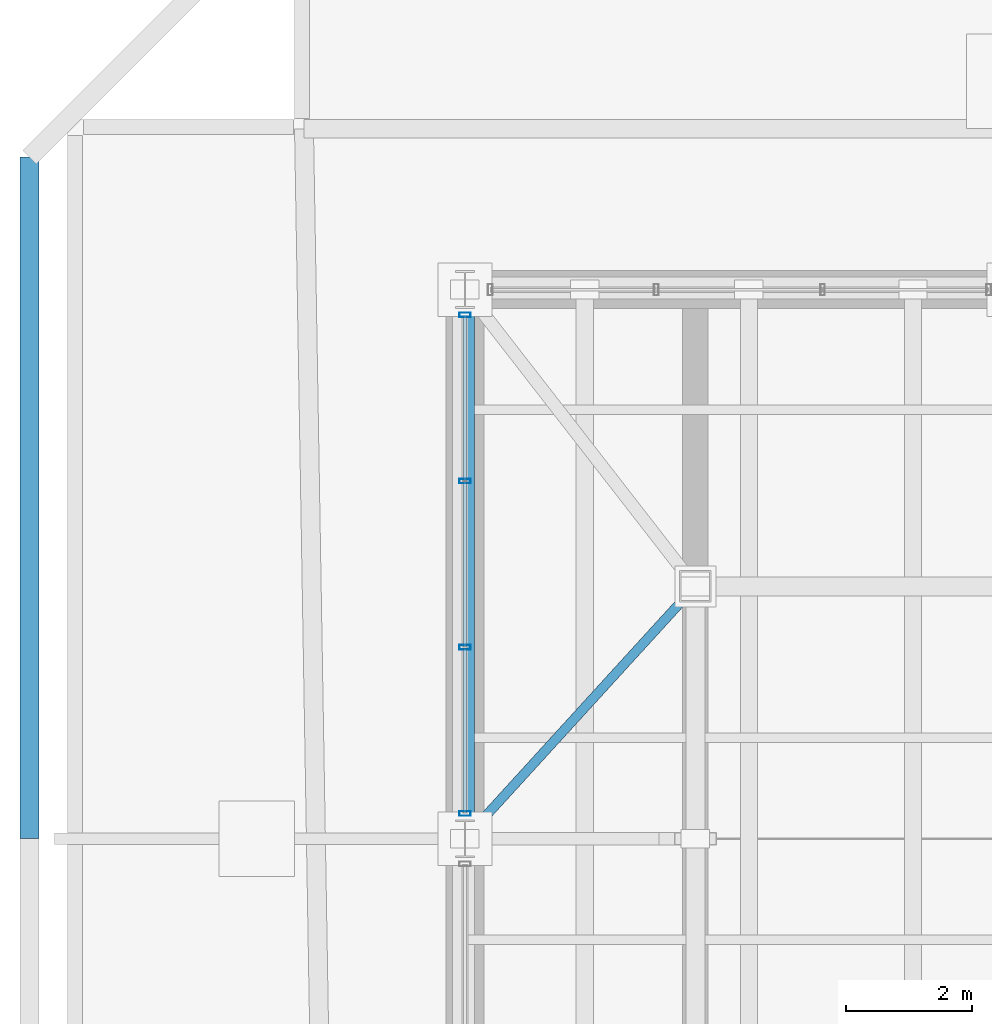
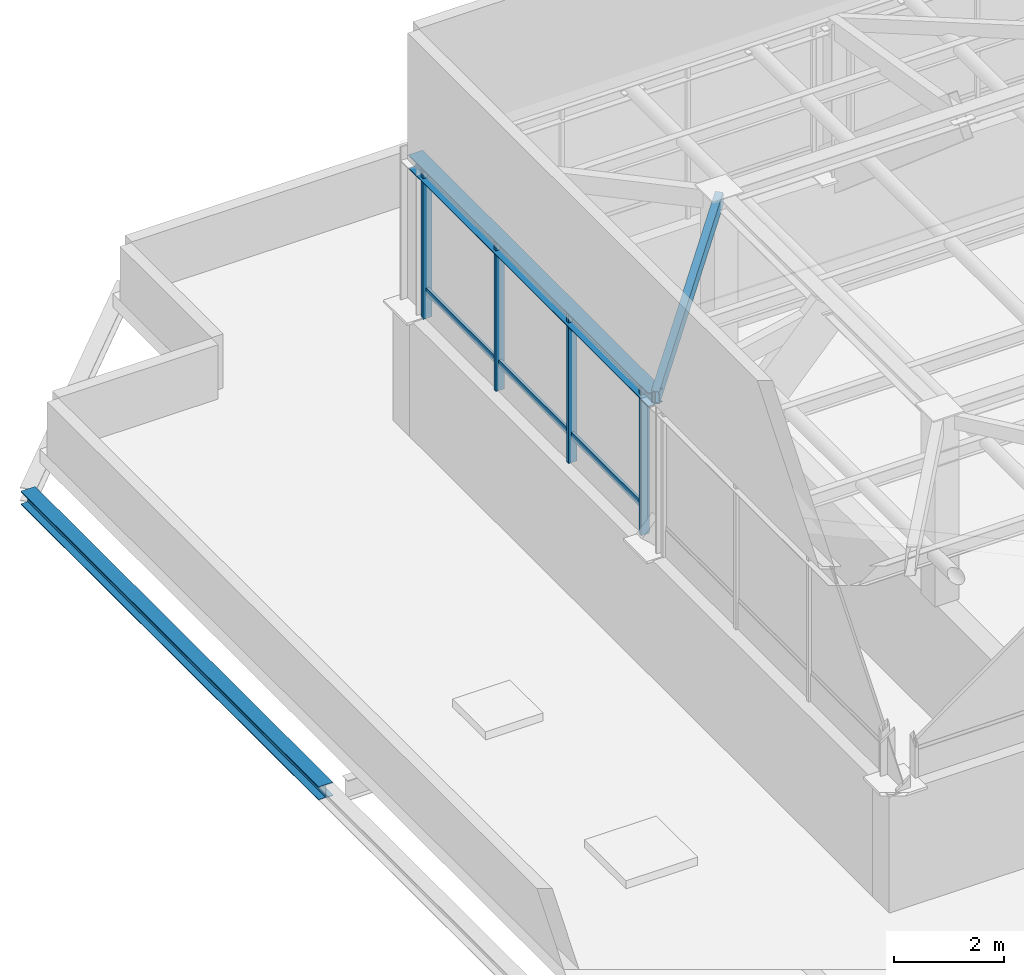
# One storey, part 14 of 22: 8 members, 2 beams, 1 element without a shape of its own.
"""IFC4 building model written with IfcOpenShell, lengths in metres."""

from ifc_helpers import new_model, si_unit, direction, frame, origin, origin_2d, place, context, subcontext, project, spatial, hollow_rectangle, i_section, extrude, material, layer, layer_set, material_profile, profile_set, type_object, element, aggregate, save


model = new_model("IFC4")

# Units and contexts
model_context = context("Model", 3, precision=1e-05, world=origin(), true_north=direction((0.0, 1.0)))
body_context = subcontext(model_context, "Body", "Model", "MODEL_VIEW")
ifc_project = project(units=[si_unit("LENGTHUNIT", "METRE"), si_unit("AREAUNIT", "SQUARE_METRE"), si_unit("VOLUMEUNIT", "CUBIC_METRE"), si_unit("PLANEANGLEUNIT", "RADIAN"), si_unit("MASSUNIT", "GRAM", prefix="KILO")], contexts=[model_context])

# Site, building, storey
site_placement = place(None, origin())
site = spatial("IfcSite", under=ifc_project, at=site_placement, CompositionType="ELEMENT")
building_placement = place(site_placement, origin())
building = spatial("IfcBuilding", under=site, at=building_placement, Name="Belovzor Exchange Tower", CompositionType="ELEMENT")
storey_placement = place(building_placement, frame((0.0, 0.0, 378.60009765625)))
storey = spatial("IfcBuildingStorey", under=building, at=storey_placement, Name="RF", CompositionType="ELEMENT", Elevation=378.60009765625)

# Beam
ifc_material_1 = material(Name="Steel S355", Category="steel")
ifc_material_profile_1 = material_profile(ifc_material_1, i_section(OverallWidth=0.300048828125, OverallDepth=0.300048828125, WebThickness=0.010986328125, FlangeThickness=0.01904296875, at=origin_2d()))
ifc_profile_set_1 = profile_set([ifc_material_profile_1], Name="Steel S355")
beam_type_1 = type_object("IfcBeamType", Name="Crown Plant Primary Beam HEB 300", PredefinedType="BEAM", material=ifc_profile_set_1)
beam_1_placement = place(storey_placement, frame((13.199951171875, 39.60009765625, -0.4501953125), z_axis=(0.0, -1.0, 0.0), x_axis=(1.0, 0.0, 0.0)))
element("IfcBeam", 1, at=beam_1_placement, inside=storey, type_object=beam_type_1, Name="FG-CR Crown Plant Primary Beam HEB 300", PredefinedType="BEAM", context=body_context, shape_type="SweptSolid", body=[
    extrude(i_section(OverallWidth=0.300048828125, OverallDepth=0.300048828125, WebThickness=0.010986328125, FlangeThickness=0.01904296875, at=origin_2d()), origin(), (0.0, 0.0, 1.0), 10.800048828125),
])

# Member
ifc_material_2 = material(Name="Steel S355", Category="steel")
ifc_material_profile_2 = material_profile(ifc_material_2, hollow_rectangle(XDim=0.14990234375, YDim=0.300048828125, WallThickness=0.010009765625, at=origin_2d()))
ifc_profile_set_2 = profile_set([ifc_material_profile_2], Name="Steel S355")
member_type_1 = type_object("IfcMemberType", Name="Crown Portal Knee Brace RHS 300x150x10", PredefinedType="BRACE", material=ifc_profile_set_2)
member_1_placement = place(storey_placement, frame((20.10009765625, 28.800048828125, 5.849853515625), z_axis=(0.668160473803, 0.732250247678, 0.131799681421), x_axis=(-0.738694342968, 0.674040553429, 0.0)))
element("IfcMember", 2, at=member_1_placement, inside=storey, type_object=member_type_1, Name="CB-220 Crown Portal Knee Brace RHS 300x150x10", PredefinedType="BRACE", context=body_context, shape_type="SweptSolid", body=[
    extrude(hollow_rectangle(XDim=0.14990234375, YDim=0.300048828125, WallThickness=0.010009765625, at=origin_2d()), origin(), (0.0, 0.0, 1.0), 5.462646484375),
])

# Beam
ifc_material_3 = material(Name="Steel S355", Category="steel")
ifc_material_profile_3 = material_profile(ifc_material_3, i_section(OverallWidth=0.300048828125, OverallDepth=0.300048828125, WebThickness=0.008544921875, FlangeThickness=0.013916015625, at=origin_2d()))
ifc_profile_set_3 = profile_set([ifc_material_profile_3], Name="Steel S355")
beam_type_2 = type_object("IfcBeamType", Name="Crown Ring & Trim Beam HEA 300", PredefinedType="BEAM", material=ifc_profile_set_3)
beam_2_placement = place(storey_placement, frame((20.10009765625, 37.5, 5.849853515625), z_axis=(0.0, -1.0, 0.0), x_axis=(1.0, 0.0, 0.0)))
element("IfcBeam", 3, at=beam_2_placement, inside=storey, type_object=beam_type_2, Name="CB-CR Crown Ring & Trim Beam HEA 300", PredefinedType="BEAM", context=body_context, shape_type="SweptSolid", body=[
    extrude(i_section(OverallWidth=0.300048828125, OverallDepth=0.300048828125, WebThickness=0.008544921875, FlangeThickness=0.013916015625, at=origin_2d()), origin(), (0.0, 0.0, 1.0), 8.699951171875),
])

# Curtain wall, members
ifc_material_4 = material(Name="Anodised Aluminium Framing", Category="aluminium")
ifc_layer = layer(ifc_material_4, 0.169921875)
ifc_layer_set = layer_set([ifc_layer], Name="Anodised Aluminium Framing")
curtain_wall_type = type_object("IfcCurtainWallType", Name="Stepped Crown Faceted Lantern Curtain Wall", PredefinedType="NOTDEFINED", material=ifc_layer_set)
curtain_wall_placement = place(storey_placement, origin())
curtain_wall = element("IfcCurtainWall", 4, at=curtain_wall_placement, inside=storey, type_object=curtain_wall_type, Name="CW6 Stepped Crown Faceted Lantern Curtain Wall RF", PredefinedType="NOTDEFINED")
ifc_material_5 = material(Name="Steel S355", Category="steel")
ifc_material_profile_4 = material_profile(ifc_material_5, hollow_rectangle(XDim=0.074951171875, YDim=0.179931640625, WallThickness=0.0048828125, at=origin_2d()))
ifc_profile_set_4 = profile_set([ifc_material_profile_4], Name="Steel S355")
member_type_2 = type_object("IfcMemberType", Name="Thermally Broken Curtain Wall Mullion 180x75", PredefinedType="MULLION", material=ifc_profile_set_4)
member_2_placement = place(storey_placement, frame((20.10009765625, 29.199951171875, 2.599853515625), z_axis=(0.0, 0.0, 1.0), x_axis=(0.0, 1.0, 0.0)))
member_2 = element("IfcMember", 5, at=member_2_placement, type_object=member_type_2, Name="CW-M180 Curtain Wall Mullion 1", PredefinedType="MULLION", context=body_context, shape_type="SweptSolid", body=[
    extrude(hollow_rectangle(XDim=0.074951171875, YDim=0.179931640625, WallThickness=0.0048828125, at=origin_2d()), origin(), (0.0, 0.0, 1.0), 3.35009765625),
])
member_3_placement = place(storey_placement, frame((20.10009765625, 31.8330078125, 2.599853515625), z_axis=(0.0, 0.0, 1.0), x_axis=(0.0, 1.0, 0.0)))
member_3 = element("IfcMember", 6, at=member_3_placement, type_object=member_type_2, Name="CW-M180 Curtain Wall Mullion 2", PredefinedType="MULLION", context=body_context, shape_type="SweptSolid", body=[
    extrude(hollow_rectangle(XDim=0.074951171875, YDim=0.179931640625, WallThickness=0.0048828125, at=origin_2d()), origin(), (0.0, 0.0, 1.0), 3.35009765625),
])
member_4_placement = place(storey_placement, frame((20.10009765625, 34.467041015625, 2.599853515625), z_axis=(0.0, 0.0, 1.0), x_axis=(0.0, 1.0, 0.0)))
member_4 = element("IfcMember", 7, at=member_4_placement, type_object=member_type_2, Name="CW-M180 Curtain Wall Mullion 3", PredefinedType="MULLION", context=body_context, shape_type="SweptSolid", body=[
    extrude(hollow_rectangle(XDim=0.074951171875, YDim=0.179931640625, WallThickness=0.0048828125, at=origin_2d()), origin(), (0.0, 0.0, 1.0), 3.35009765625),
])
member_5_placement = place(storey_placement, frame((20.10009765625, 37.10009765625, 2.599853515625), z_axis=(0.0, 0.0, 1.0), x_axis=(0.0, 1.0, 0.0)))
member_5 = element("IfcMember", 8, at=member_5_placement, type_object=member_type_2, Name="CW-M180 Curtain Wall Mullion 4", PredefinedType="MULLION", context=body_context, shape_type="SweptSolid", body=[
    extrude(hollow_rectangle(XDim=0.074951171875, YDim=0.179931640625, WallThickness=0.0048828125, at=origin_2d()), origin(), (0.0, 0.0, 1.0), 3.35009765625),
])
ifc_material_6 = material(Name="Steel S355", Category="steel")
ifc_material_profile_5 = material_profile(ifc_material_6, hollow_rectangle(XDim=0.06005859375, YDim=0.14990234375, WallThickness=0.00390625, at=origin_2d()))
ifc_profile_set_5 = profile_set([ifc_material_profile_5], Name="Steel S355")
member_type_3 = type_object("IfcMemberType", Name="Thermally Broken Curtain Wall Transom 150x60", PredefinedType="USERDEFINED", material=ifc_profile_set_5)
member_6_placement = place(storey_placement, frame((20.10009765625, 29.2080078125, 3.202880859375), z_axis=(0.0, 1.0, 0.0), x_axis=(-1.0, 0.0, 0.0)))
member_6 = element("IfcMember", 9, at=member_6_placement, type_object=member_type_3, Name="CW-T150 Curtain Wall Transom 1", ObjectType="TRANSOM", PredefinedType="USERDEFINED", context=body_context, shape_type="SweptSolid", body=[
    extrude(hollow_rectangle(XDim=0.06005859375, YDim=0.14990234375, WallThickness=0.00390625, at=origin_2d()), origin(), (0.0, 0.0, 1.0), 2.616943359375),
])
member_7_placement = place(storey_placement, frame((20.10009765625, 31.841064453125, 3.202880859375), z_axis=(0.0, 1.0, 0.0), x_axis=(-1.0, 0.0, 0.0)))
member_7 = element("IfcMember", 10, at=member_7_placement, type_object=member_type_3, Name="CW-T150 Curtain Wall Transom 2", ObjectType="TRANSOM", PredefinedType="USERDEFINED", context=body_context, shape_type="SweptSolid", body=[
    extrude(hollow_rectangle(XDim=0.06005859375, YDim=0.14990234375, WallThickness=0.00390625, at=origin_2d()), origin(), (0.0, 0.0, 1.0), 2.617919921875),
])
member_8_placement = place(storey_placement, frame((20.10009765625, 34.47509765625, 3.202880859375), z_axis=(0.0, 1.0, 0.0), x_axis=(-1.0, 0.0, 0.0)))
member_8 = element("IfcMember", 11, at=member_8_placement, type_object=member_type_3, Name="CW-T150 Curtain Wall Transom 3", ObjectType="TRANSOM", PredefinedType="USERDEFINED", context=body_context, shape_type="SweptSolid", body=[
    extrude(hollow_rectangle(XDim=0.06005859375, YDim=0.14990234375, WallThickness=0.00390625, at=origin_2d()), origin(), (0.0, 0.0, 1.0), 2.616943359375),
])
aggregate(curtain_wall, [member_2, member_3, member_4, member_5, member_6, member_7, member_8])

save(model, "model.ifc")
